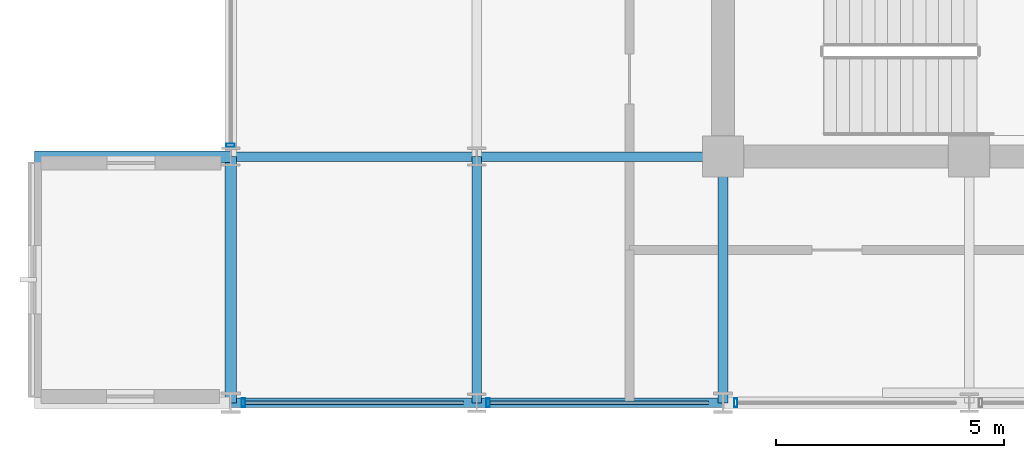
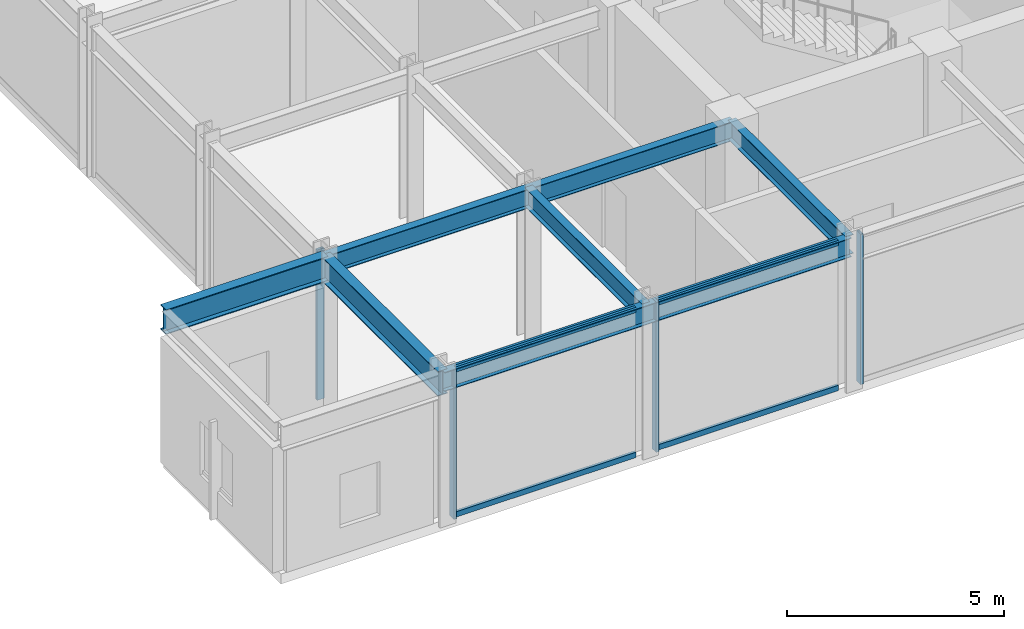
# One storey, part 2 of 22: 8 members, 6 beams, 2 elements without a shape of their own.
"""IFC4 building model written with IfcOpenShell, lengths in metres."""

from ifc_helpers import new_model, si_unit, direction, frame, origin, origin_2d, place, context, subcontext, project, spatial, hollow_rectangle, i_section, extrude, material, layer, layer_set, material_profile, profile_set, type_object, element, aggregate, save


model = new_model("IFC4")

# Units and contexts
model_context = context("Model", 3, precision=1e-05, world=origin(), true_north=direction((0.0, 1.0)))
body_context = subcontext(model_context, "Body", "Model", "MODEL_VIEW")
ifc_project = project(units=[si_unit("LENGTHUNIT", "METRE"), si_unit("AREAUNIT", "SQUARE_METRE"), si_unit("VOLUMEUNIT", "CUBIC_METRE"), si_unit("PLANEANGLEUNIT", "RADIAN"), si_unit("MASSUNIT", "GRAM", prefix="KILO")], contexts=[model_context])

# Site, building, storey
site_placement = place(None, origin())
site = spatial("IfcSite", under=ifc_project, at=site_placement, CompositionType="ELEMENT")
building_placement = place(site_placement, origin())
building = spatial("IfcBuilding", under=site, at=building_placement, Name="Surkhivell Harbour Commons", CompositionType="ELEMENT")
storey_placement = place(building_placement, frame((0.0, 0.0, 342.0)))
storey = spatial("IfcBuildingStorey", under=building, at=storey_placement, Name="L89", CompositionType="ELEMENT", Elevation=342.0)

# Beams
ifc_material_1 = material(Name="Steel S460", Category="steel")
ifc_material_profile_1 = material_profile(ifc_material_1, i_section(OverallWidth=0.256103515625, OverallDepth=0.693115234375, WebThickness=0.014404296875, FlangeThickness=0.023681640625, at=origin_2d()), Name="UB686x254x170")
ifc_profile_set_1 = profile_set([ifc_material_profile_1], Name="Steel S460")
beam_type_1 = type_object("IfcBeamType", Name="BM-CNT-686", PredefinedType="BEAM", material=ifc_profile_set_1)
beam_1_placement = place(storey_placement, frame((-21.60009765625, -10.800048828125, 3.87353515625), z_axis=(-1.0, 0.0, 0.0), x_axis=(0.0, -1.0, 0.0)))
element("IfcBeam", 1, at=beam_1_placement, inside=storey, type_object=beam_type_1, Name="L89 Box Cantilever Outrigger (-21.6,-10.8)", PredefinedType="BEAM", context=body_context, shape_type="SweptSolid", body=[
    extrude(i_section(OverallWidth=0.256103515625, OverallDepth=0.693115234375, WebThickness=0.014404296875, FlangeThickness=0.023681640625, at=origin_2d()), origin(), (0.0, 0.0, 1.0), 4.2998046875),
])
ifc_material_2 = material(Name="Steel S355", Category="steel")
ifc_material_profile_2 = material_profile(ifc_material_2, i_section(OverallWidth=0.2099609375, OverallDepth=0.537109375, WebThickness=0.0107421875, FlangeThickness=0.017333984375, at=origin_2d()), Name="UB533x210x101")
ifc_profile_set_2 = profile_set([ifc_material_profile_2], Name="Steel S355")
beam_type_2 = type_object("IfcBeamType", Name="BM-GRD-533B", PredefinedType="BEAM", material=ifc_profile_set_2)
for number, where, z_axis, x_axis, name in (
    (2, (-21.60009765625, -16.199951171875, 3.951416015625), (1.0, 0.0, 0.0), (0.0, 1.0, 0.0), "L89 Cantilever Back-Span Girder (-21.6,-16.2)"),
    (3, (-21.60009765625, -10.800048828125, 3.951416015625), (1.0, 0.0, 0.0), (0.0, 1.0, 0.0), "L89 Cantilever Back-Span Girder (-21.6,-10.8)"),
):
    element("IfcBeam", number, at=place(storey_placement, frame(where, z_axis=z_axis, x_axis=x_axis)), inside=storey, type_object=beam_type_2, Name=name, PredefinedType="BEAM", context=body_context, shape_type="SweptSolid", body=[
        extrude(i_section(OverallWidth=0.2099609375, OverallDepth=0.537109375, WebThickness=0.0107421875, FlangeThickness=0.017333984375, at=origin_2d()), origin(), (0.0, 0.0, 1.0), 10.800048828125),
    ])
for number, where, z_axis, x_axis, name in (
    (4, (-16.199951171875, -16.199951171875, 3.951416015625), (0.0, 1.0, 0.0), (-1.0, 0.0, 0.0), "L89 Floor Girder (-16.2,-16.2)"),
    (5, (-10.800048828125, -16.199951171875, 3.951416015625), (0.0, 1.0, 0.0), (-1.0, 0.0, 0.0), "L89 Floor Girder (-10.8,-16.2)"),
):
    element("IfcBeam", number, at=place(storey_placement, frame(where, z_axis=z_axis, x_axis=x_axis)), inside=storey, type_object=beam_type_2, Name=name, PredefinedType="BEAM", context=body_context, shape_type="SweptSolid", body=[
        extrude(i_section(OverallWidth=0.2099609375, OverallDepth=0.537109375, WebThickness=0.0107421875, FlangeThickness=0.017333984375, at=origin_2d()), origin(), (0.0, 0.0, 1.0), 5.39990234375),
    ])
ifc_material_profile_3 = material_profile(ifc_material_2, i_section(OverallWidth=0.256103515625, OverallDepth=0.693115234375, WebThickness=0.014404296875, FlangeThickness=0.023681640625, at=origin_2d()), Name="UB686x254x170")
ifc_profile_set_3 = profile_set([ifc_material_profile_3], Name="Steel S355")
beam_type_3 = type_object("IfcBeamType", Name="BM-SPN-686", PredefinedType="SPANDREL", material=ifc_profile_set_3)
beam_2_placement = place(storey_placement, frame((-21.60009765625, -16.199951171875, 3.87353515625), z_axis=(0.0, 1.0, 0.0), x_axis=(-1.0, 0.0, 0.0)))
element("IfcBeam", 6, at=beam_2_placement, inside=storey, type_object=beam_type_3, Name="L89 Tube Spandrel (-21.6,-16.2)", PredefinedType="SPANDREL", context=body_context, shape_type="SweptSolid", body=[
    extrude(i_section(OverallWidth=0.256103515625, OverallDepth=0.693115234375, WebThickness=0.014404296875, FlangeThickness=0.023681640625, at=origin_2d()), origin(), (0.0, 0.0, 1.0), 5.39990234375),
])

# Curtain wall, member
ifc_material_3 = material(Name="Anodised pale-metal aluminium and insulated glazing", Category="aluminium")
ifc_layer = layer(ifc_material_3, 0.22998046875)
ifc_layer_set = layer_set([ifc_layer], Name="Anodised pale-metal aluminium and insulated glazing")
curtain_wall_type = type_object("IfcCurtainWallType", Name="CW-SYS-CRN", PredefinedType="NOTDEFINED", material=ifc_layer_set)
curtain_wall_1_placement = place(storey_placement, origin())
curtain_wall_1 = element("IfcCurtainWall", 7, at=curtain_wall_1_placement, inside=storey, type_object=curtain_wall_type, Name="L89 Curtain Wall CW-L89-C02S1", PredefinedType="NOTDEFINED")
ifc_material_4 = material(Name="Anodised pale-metal aluminium alloy 6063-T6", Category="aluminium")
ifc_material_profile_4 = material_profile(ifc_material_4, hollow_rectangle(XDim=0.074951171875, YDim=0.18994140625, WallThickness=0.00390625, at=origin_2d()), Name="ALU-MULL-75x190")
ifc_profile_set_4 = profile_set([ifc_material_profile_4], Name="Anodised pale-metal aluminium alloy 6063-T6")
member_type_1 = type_object("IfcMemberType", Name="CWM-190", PredefinedType="MULLION", material=ifc_profile_set_4)
member_1_placement = place(storey_placement, frame((-21.60009765625, -10.550537109375, 0.0), z_axis=(0.0, 0.0, 1.0), x_axis=(0.0, -1.0, 0.0)))
member_1 = element("IfcMember", 8, at=member_1_placement, type_object=member_type_1, Name="CW-CRN mullion 5", PredefinedType="MULLION", context=body_context, shape_type="SweptSolid", body=[
    extrude(hollow_rectangle(XDim=0.074951171875, YDim=0.18994140625, WallThickness=0.00390625, at=origin_2d()), origin(), (0.0, 0.0, 1.0), 4.219970703125),
])
aggregate(curtain_wall_1, [member_1])

# Curtain wall, members
curtain_wall_2_placement = place(storey_placement, origin())
curtain_wall_2 = element("IfcCurtainWall", 9, at=curtain_wall_2_placement, inside=storey, type_object=curtain_wall_type, Name="L89 Curtain Wall CW-L89-C03", PredefinedType="NOTDEFINED")
member_2_placement = place(storey_placement, frame((-21.320556640625, -16.199951171875, 0.0), z_axis=(0.0, 0.0, 1.0), x_axis=(1.0, 0.0, 0.0)))
member_2 = element("IfcMember", 10, at=member_2_placement, type_object=member_type_1, Name="CW-CRN mullion 1", PredefinedType="MULLION", context=body_context, shape_type="SweptSolid", body=[
    extrude(hollow_rectangle(XDim=0.074951171875, YDim=0.18994140625, WallThickness=0.00390625, at=origin_2d()), origin(), (0.0, 0.0, 1.0), 4.219970703125),
])
member_3_placement = place(storey_placement, frame((-15.950439453125, -16.199951171875, 0.0), z_axis=(0.0, 0.0, 1.0), x_axis=(1.0, 0.0, 0.0)))
member_3 = element("IfcMember", 11, at=member_3_placement, type_object=member_type_1, Name="CW-CRN mullion 2", PredefinedType="MULLION", context=body_context, shape_type="SweptSolid", body=[
    extrude(hollow_rectangle(XDim=0.074951171875, YDim=0.18994140625, WallThickness=0.00390625, at=origin_2d()), origin(), (0.0, 0.0, 1.0), 4.219970703125),
])
member_4_placement = place(storey_placement, frame((-10.5205078125, -16.199951171875, 0.0), z_axis=(0.0, 0.0, 1.0), x_axis=(1.0, 0.0, 0.0)))
member_4 = element("IfcMember", 12, at=member_4_placement, type_object=member_type_1, Name="CW-CRN mullion 3", PredefinedType="MULLION", context=body_context, shape_type="SweptSolid", body=[
    extrude(hollow_rectangle(XDim=0.074951171875, YDim=0.18994140625, WallThickness=0.00390625, at=origin_2d()), origin(), (0.0, 0.0, 1.0), 4.219970703125),
])
ifc_material_profile_5 = material_profile(ifc_material_4, hollow_rectangle(XDim=0.074951171875, YDim=0.14990234375, WallThickness=0.00341796875, at=origin_2d()), Name="ALU-TRAN-75x150")
ifc_profile_set_5 = profile_set([ifc_material_profile_5], Name="Anodised pale-metal aluminium alloy 6063-T6")
member_type_2 = type_object("IfcMemberType", Name="CWT-150", PredefinedType="USERDEFINED", material=ifc_profile_set_5)
member_5_placement = place(storey_placement, frame((-21.282958984375, -16.199951171875, 0.074951171875), z_axis=(1.0, 0.0, 0.0), x_axis=(0.0, 1.0, 0.0)))
member_5 = element("IfcMember", 13, at=member_5_placement, type_object=member_type_2, Name="CW-CRN transom 1.1", ObjectType="TRANSOM", PredefinedType="USERDEFINED", context=body_context, shape_type="SweptSolid", body=[
    extrude(hollow_rectangle(XDim=0.074951171875, YDim=0.14990234375, WallThickness=0.00341796875, at=origin_2d()), origin(), (0.0, 0.0, 1.0), 4.7958984375),
])
member_6_placement = place(storey_placement, frame((-21.282958984375, -16.199951171875, 4.14501953125), z_axis=(1.0, 0.0, 0.0), x_axis=(0.0, 1.0, 0.0)))
member_6 = element("IfcMember", 14, at=member_6_placement, type_object=member_type_2, Name="CW-CRN transom 1.2", ObjectType="TRANSOM", PredefinedType="USERDEFINED", context=body_context, shape_type="SweptSolid", body=[
    extrude(hollow_rectangle(XDim=0.074951171875, YDim=0.14990234375, WallThickness=0.00341796875, at=origin_2d()), origin(), (0.0, 0.0, 1.0), 4.7958984375),
])
member_7_placement = place(storey_placement, frame((-15.9130859375, -16.199951171875, 0.074951171875), z_axis=(1.0, 0.0, 0.0), x_axis=(0.0, 1.0, 0.0)))
member_7 = element("IfcMember", 15, at=member_7_placement, type_object=member_type_2, Name="CW-CRN transom 2.1", ObjectType="TRANSOM", PredefinedType="USERDEFINED", context=body_context, shape_type="SweptSolid", body=[
    extrude(hollow_rectangle(XDim=0.074951171875, YDim=0.14990234375, WallThickness=0.00341796875, at=origin_2d()), origin(), (0.0, 0.0, 1.0), 4.796142578125),
])
member_8_placement = place(storey_placement, frame((-15.9130859375, -16.199951171875, 4.14501953125), z_axis=(1.0, 0.0, 0.0), x_axis=(0.0, 1.0, 0.0)))
member_8 = element("IfcMember", 16, at=member_8_placement, type_object=member_type_2, Name="CW-CRN transom 2.2", ObjectType="TRANSOM", PredefinedType="USERDEFINED", context=body_context, shape_type="SweptSolid", body=[
    extrude(hollow_rectangle(XDim=0.074951171875, YDim=0.14990234375, WallThickness=0.00341796875, at=origin_2d()), origin(), (0.0, 0.0, 1.0), 4.796142578125),
])
aggregate(curtain_wall_2, [member_2, member_5, member_6, member_3, member_7, member_8, member_4])

save(model, "model.ifc")
